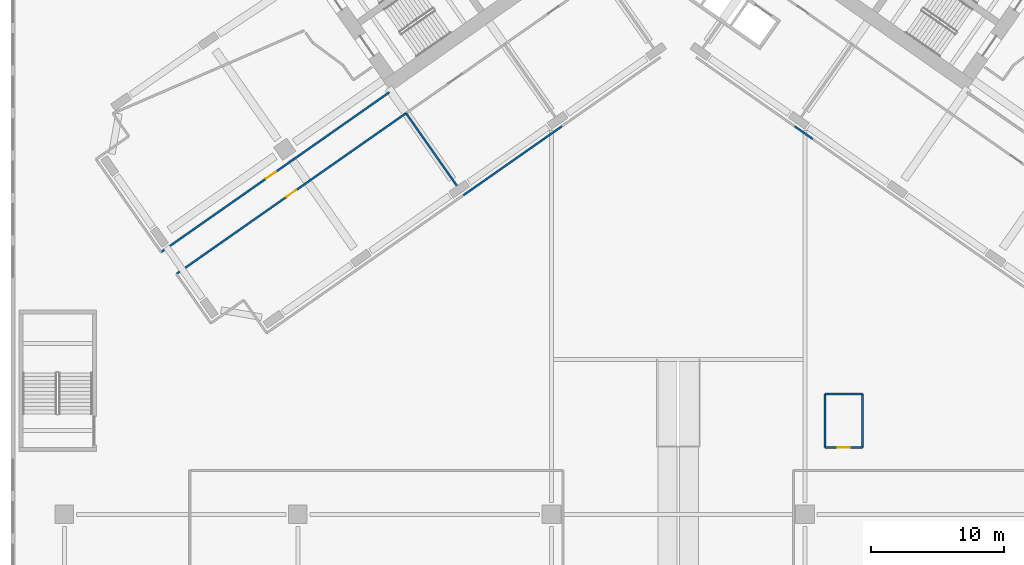
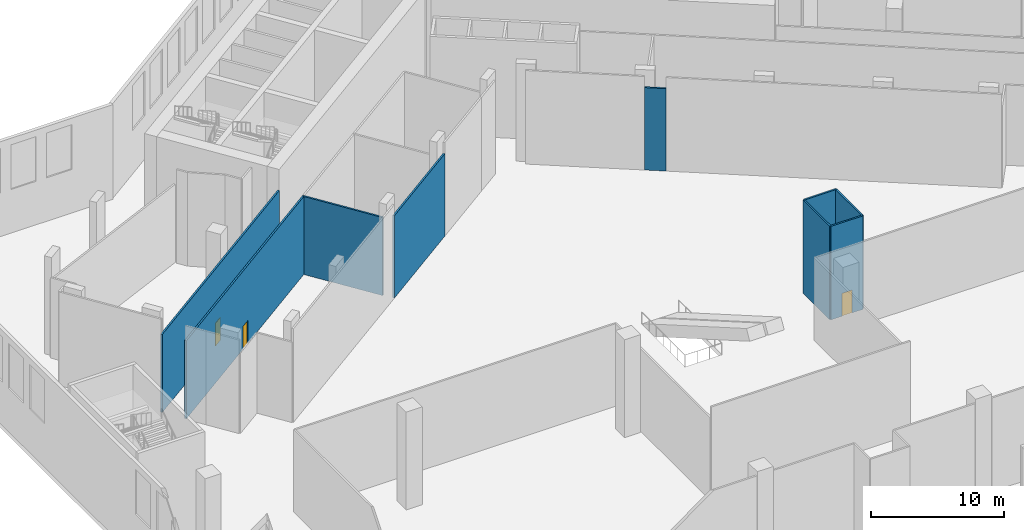
# One storey, part 7 of 27: 9 walls, 3 doors, 3 openings.
"""IFC4 building model written with IfcOpenShell, lengths in metres."""

import ifcopenshell
import ifcopenshell.guid

model = None  # the IFC model being written
_history = None  # IfcOwnerHistory: only IFC2X3 demands one
_inside = {}  # id of a spatial element -> (the spatial element, [elements in it])
_under = {}  # id of a project, library or spatial element -> (it, [spatial elements below it])
_declared = {}  # id of a project -> (the project, [libraries it declares])
_typed = {}  # id of a type object -> (the type object, [elements of that type])
_made_of = {}  # id of a material, layer set ... -> (it, [elements and type objects made of it])


def new_model(schema):
    """Start an empty IFC model of exactly this schema.

    Asked for "IFC4X3", IfcOpenShell would pick the latest addendum, in which some entities
    have other attributes; the version numbers below select the first issue.
    IFC2X3 requires an IfcOwnerHistory on every rooted entity: one is made here for all.
    """
    global model, _history
    if schema == "IFC4X3":
        model = ifcopenshell.file(schema_version=(4, 3, 0, 0))
    else:
        model = ifcopenshell.file(schema=schema)
    _inside.clear()
    _under.clear()
    _declared.clear()
    _typed.clear()
    _made_of.clear()
    _history = None
    if model.schema == "IFC2X3":
        org = make("IfcOrganization", Name="unknown")
        user = make(
            "IfcPersonAndOrganization",
            ThePerson=make("IfcPerson", FamilyName="unknown"),
            TheOrganization=org,
        )
        app = make(
            "IfcApplication",
            ApplicationDeveloper=org,
            Version="unknown",
            ApplicationFullName="unknown",
            ApplicationIdentifier="unknown",
        )
        _history = make(
            "IfcOwnerHistory",
            OwningUser=user,
            OwningApplication=app,
            ChangeAction="ADDED",
            CreationDate=0,
        )
    return model


def make(cls, **values):
    """One entity of the class cls with the attributes given. An attribute that is None is left unset."""
    return model.create_entity(
        cls, **{name: value for name, value in values.items() if value is not None}
    )


def rooted(cls, **values):
    """An entity with a GlobalId (a new one), such as an element, a storey or a relation."""
    return make(cls, GlobalId=ifcopenshell.guid.new(), OwnerHistory=_history, **values)


def si_unit(unit_type, name, prefix=None):
    """IfcSIUnit, for example si_unit("LENGTHUNIT", "METRE", prefix="MILLI")."""
    return make("IfcSIUnit", UnitType=unit_type, Prefix=prefix, Name=name)


def assignment(units):
    """IfcUnitAssignment: the units of a project."""
    return None if units is None else make("IfcUnitAssignment", Units=units)


def point(xyz):
    """IfcCartesianPoint."""
    return None if xyz is None else make("IfcCartesianPoint", Coordinates=xyz)


def direction(xyz):
    """IfcDirection."""
    return None if xyz is None else make("IfcDirection", DirectionRatios=xyz)


def frame(location, z_axis=None, x_axis=None):
    """IfcAxis2Placement3D, a coordinate frame: its origin and axes. An axis left out is left unset."""
    return make(
        "IfcAxis2Placement3D",
        Location=point(location),
        Axis=direction(z_axis),
        RefDirection=direction(x_axis),
    )


def frame_2d(location, x_axis=None):
    """IfcAxis2Placement2D, a coordinate frame in the plane: its origin and x axis."""
    return make(
        "IfcAxis2Placement2D", Location=point(location), RefDirection=direction(x_axis)
    )


def origin():
    """The frame at (0, 0, 0) with its axes left unset."""
    return frame((0.0, 0.0, 0.0))


def place(relative_to, where):
    """IfcLocalPlacement: puts the frame where relative to a parent placement (None: the world)."""
    return make(
        "IfcLocalPlacement", PlacementRelTo=relative_to, RelativePlacement=where
    )


def context(
    kind, dimensions, precision=None, world=None, true_north=None, identifier=None
):
    """IfcGeometricRepresentationContext, for example the 3D "Model" context."""
    return make(
        "IfcGeometricRepresentationContext",
        ContextIdentifier=identifier,
        ContextType=kind,
        CoordinateSpaceDimension=dimensions,
        Precision=precision,
        WorldCoordinateSystem=world,
        TrueNorth=true_north,
    )


def subcontext(parent, identifier, kind, view, scale=None):
    """IfcGeometricRepresentationSubContext, for example "Body" below "Model"."""
    return make(
        "IfcGeometricRepresentationSubContext",
        ContextIdentifier=identifier,
        ContextType=kind,
        ParentContext=parent,
        TargetScale=scale,
        TargetView=view,
    )


def project(units=None, contexts=None):
    """IfcProject with its units and contexts."""
    return rooted(
        "IfcProject",
        Name="project",
        RepresentationContexts=contexts,
        UnitsInContext=assignment(units),
    )


def spatial(cls, under=None, at=None, **own):
    """A site, building, storey or space (cls), placed at a placement, below another one or the project."""
    s = rooted(cls, ObjectPlacement=at, **own)
    if under is not None:
        _under.setdefault(under.id(), (under, []))[1].append(s)
    return s


def profile(cls, at=None, kind="AREA", **sizes):
    """A parametric profile (cls). Its sizes go by their IFC names, for example OverallWidth=200.0."""
    return make(cls, ProfileType=kind, Position=at, **sizes)


def rectangle(**sizes):
    """IfcRectangleProfileDef."""
    return profile("IfcRectangleProfileDef", **sizes)


def extrude(swept, where, along, depth):
    """IfcExtrudedAreaSolid: the profile swept, set in the frame where, extruded along a direction by depth."""
    return make(
        "IfcExtrudedAreaSolid",
        SweptArea=swept,
        Position=where,
        ExtrudedDirection=direction(along),
        Depth=depth,
    )


def shape(context_of_items, identifier, shape_type, items):
    """IfcShapeRepresentation: the items that make up one representation, for example the "Body"."""
    return make(
        "IfcShapeRepresentation",
        ContextOfItems=context_of_items,
        RepresentationIdentifier=identifier,
        RepresentationType=shape_type,
        Items=items,
    )


def material(Name=None, Category=None):
    """IfcMaterial."""
    return make("IfcMaterial", Name=Name, Category=Category)


def layer(
    of_material, thickness, ventilated=None, Name=None, Category=None, Priority=None
):
    """IfcMaterialLayer: one layer of a wall or slab, of a material (None: an air gap)."""
    return make(
        "IfcMaterialLayer",
        Material=of_material,
        LayerThickness=thickness,
        IsVentilated=ventilated,
        Name=Name,
        Category=Category,
        Priority=Priority,
    )


def layer_set(layers, Name=None):
    """IfcMaterialLayerSet."""
    return make("IfcMaterialLayerSet", MaterialLayers=layers, LayerSetName=Name)


def made_of(thing, what):
    """Note that an element or type object is made of a material, layer set ...; save() writes the relation."""
    if what is not None:
        _made_of.setdefault(what.id(), (what, []))[1].append(thing)
    return thing


def type_object(cls, material=None, **own):
    """A type object (cls), such as IfcWallType, which elements share."""
    return made_of(rooted(cls, **own), material)


def element(
    cls,
    number,
    at=None,
    inside=None,
    cuts=None,
    type_object=None,
    material=None,
    context=None,
    identifier="Body",
    shape_type=None,
    held_by="IfcProductDefinitionShape",
    body=None,
    shapes=None,
    **own,
):
    """One element of the class cls, such as IfcWall. Its Tag is "e" and its number.

    at: its placement. inside: the storey or other place that contains it. cuts: it is an
    opening in that element (IfcRelVoidsElement). A single representation is given by context,
    identifier, shape_type and body (its items); several are given by shapes. held_by: the class
    of the entity that holds the representations. save() writes the other relations.
    """
    e = rooted(cls, Tag="e%d" % number, ObjectPlacement=at, **own)
    if body is not None:
        shapes = [shape(context, identifier, shape_type, body)]
    if shapes is not None:
        e.Representation = make(held_by, Representations=shapes)
    if inside is not None:
        _inside.setdefault(inside.id(), (inside, []))[1].append(e)
    if cuts is not None:
        rooted(
            "IfcRelVoidsElement", RelatingBuildingElement=cuts, RelatedOpeningElement=e
        )
    if type_object is not None:
        _typed.setdefault(type_object.id(), (type_object, []))[1].append(e)
    return made_of(e, material)


def fill(opening, filler):
    """IfcRelFillsElement: the door or window that sits in an opening."""
    return rooted(
        "IfcRelFillsElement",
        RelatingOpeningElement=opening,
        RelatedBuildingElement=filler,
    )


def aggregate(whole, parts):
    """IfcRelAggregates: a whole, such as a stair, and the parts it consists of."""
    return rooted("IfcRelAggregates", RelatingObject=whole, RelatedObjects=parts)


def save(model, path):
    """Write the relations noted so far, then the file.

    IfcRelAggregates (storeys below a building ...), IfcRelContainedInSpatialStructure (elements
    in a storey), IfcRelDefinesByType, IfcRelAssociatesMaterial and IfcRelDeclares: one each for
    every whole, place, type object, material and project.
    """
    for whole, parts in _under.values():
        aggregate(whole, parts)
    for where, things in _inside.values():
        rooted(
            "IfcRelContainedInSpatialStructure",
            RelatedElements=things,
            RelatingStructure=where,
        )
    for kind, things in _typed.values():
        rooted("IfcRelDefinesByType", RelatedObjects=things, RelatingType=kind)
    for what, things in _made_of.values():
        rooted("IfcRelAssociatesMaterial", RelatedObjects=things, RelatingMaterial=what)
    for by, libraries in _declared.values():
        rooted("IfcRelDeclares", RelatingContext=by, RelatedDefinitions=libraries)
    model.write(path)


model = new_model("IFC4")

# Units and contexts
model_context = context("Model", 3, precision=1e-05, world=origin(), true_north=direction((0.0, 1.0)))
body_context = subcontext(model_context, "Body", "Model", "MODEL_VIEW")
ifc_project = project(units=[si_unit("LENGTHUNIT", "METRE"), si_unit("AREAUNIT", "SQUARE_METRE"), si_unit("VOLUMEUNIT", "CUBIC_METRE"), si_unit("PLANEANGLEUNIT", "RADIAN"), si_unit("MASSUNIT", "GRAM", prefix="KILO")], contexts=[model_context])

# Site, building, storey
site_placement = place(None, origin())
site = spatial("IfcSite", under=ifc_project, at=site_placement, CompositionType="ELEMENT")
building_placement = place(site_placement, origin())
building = spatial("IfcBuilding", under=site, at=building_placement, Name="Tel Ilan Convention Tower", CompositionType="ELEMENT")
storey_placement = place(building_placement, frame((0.0, 0.0, 9.0)))
storey = spatial("IfcBuildingStorey", under=building, at=storey_placement, Name="L01", CompositionType="ELEMENT", Elevation=9.0)

# Wall, opening, door
ifc_material_1 = material(Name="Plasterboard on Steel Studs", Category="steel")
ifc_layer = layer(ifc_material_1, 0.14990234375)
ifc_layer_set = layer_set([ifc_layer], Name="Fire-rated Partition 150 EI 60")
wall_type = type_object("IfcWallType", Name="Fire-rated Partition 150 EI 60", PredefinedType="PARTITIONING", material=ifc_layer_set)
wall_1_placement = place(storey_placement, frame((-38.74560546875, -28.350830078125, 0.0), z_axis=(0.0, 0.0, 1.0), x_axis=(0.819148965066, 0.573580833911, 0.0)))
wall_1 = element("IfcWall", 1, at=wall_1_placement, inside=storey, type_object=wall_type, Name="Partition 004", PredefinedType="PARTITIONING", context=body_context, shape_type="SweptSolid", body=[
    extrude(rectangle(XDim=20.8798828125, YDim=0.14990234375, at=frame_2d((10.43994140625, 0.0))), origin(), (0.0, 0.0, 1.0), 7.179931640625),
])
opening_1_placement = place(wall_1_placement, frame((9.590087890625, 0.0, 0.0)))
opening_1 = element("IfcOpeningElement", 2, at=opening_1_placement, cuts=wall_1, Name="Opening L01-004", PredefinedType="OPENING", context=body_context, shape_type="SweptSolid", body=[
    extrude(rectangle(XDim=0.89990234375, YDim=2.10009765625, at=frame_2d((0.449951171875, 1.050048828125))), frame((0.0, 0.0849609375, 0.0), z_axis=(0.0, -1.0, 0.0), x_axis=(1.0, 0.0, 0.0)), (0.0, 0.0, 1.0), 0.169921875),
])
ifc_material_2 = material(Name="Timber Door Leaf in Steel Frame", Category="steel")
door_type = type_object("IfcDoorType", Name="Room Fire Door 900x2100", OperationType="NOTDEFINED", PredefinedType="DOOR", material=ifc_material_2)
door_1_placement = place(opening_1_placement, origin())
door_1 = element("IfcDoor", 3, at=door_1_placement, inside=storey, type_object=door_type, Name="Door L01-004", OperationType="SINGLE_SWING_RIGHT", OverallHeight=2.10009765625, OverallWidth=0.89990234375, PredefinedType="DOOR", context=body_context, shape_type="SweptSolid", body=[
    extrude(rectangle(XDim=0.89990234375, YDim=2.10009765625, at=frame_2d((0.449951171875, 1.050048828125))), frame((0.0, 0.02490234375, 0.0), z_axis=(0.0, -1.0, 0.0), x_axis=(1.0, 0.0, 0.0)), (0.0, 0.0, 1.0), 0.050048828125),
])
fill(opening_1, door_1)

wall_2_placement = place(storey_placement, frame((-20.394775390625, -17.94287109375, 0.0), z_axis=(0.0, 0.0, 1.0), x_axis=(-0.819154909514, -0.573572344364, 0.0)))
wall_2 = element("IfcWall", 4, at=wall_2_placement, inside=storey, type_object=wall_type, Name="Partition 007", PredefinedType="PARTITIONING", context=body_context, shape_type="SweptSolid", body=[
    extrude(rectangle(XDim=21.001953125, YDim=0.14990234375, at=frame_2d((10.5009765625, 0.0))), origin(), (0.0, 0.0, 1.0), 7.179931640625),
])
opening_2_placement = place(wall_2_placement, frame((10.051025390625, 0.0, 0.0)))
opening_2 = element("IfcOpeningElement", 5, at=opening_2_placement, cuts=wall_2, Name="Opening L01-003", PredefinedType="OPENING", context=body_context, shape_type="SweptSolid", body=[
    extrude(rectangle(XDim=0.89990234375, YDim=2.10009765625, at=frame_2d((0.449951171875, 1.050048828125))), frame((0.0, 0.0849609375, 0.0), z_axis=(0.0, -1.0, 0.0), x_axis=(1.0, 0.0, 0.0)), (0.0, 0.0, 1.0), 0.169921875),
])
door_2_placement = place(opening_2_placement, origin())
door_2 = element("IfcDoor", 6, at=door_2_placement, inside=storey, type_object=door_type, Name="Door L01-003", OperationType="SINGLE_SWING_RIGHT", OverallHeight=2.10009765625, OverallWidth=0.89990234375, PredefinedType="DOOR", context=body_context, shape_type="SweptSolid", body=[
    extrude(rectangle(XDim=0.89990234375, YDim=2.10009765625, at=frame_2d((0.449951171875, 1.050048828125))), frame((0.0, 0.02490234375, 0.0), z_axis=(0.0, -1.0, 0.0), x_axis=(1.0, 0.0, 0.0)), (0.0, 0.0, 1.0), 0.050048828125),
])
fill(opening_2, door_2)

# Wall
wall_3_placement = place(storey_placement, frame((10.0751953125, -19.872802734375, 0.0), z_axis=(0.0, 0.0, 1.0), x_axis=(-0.819190252408, 0.573521865634, 0.0)))
element("IfcWall", 7, at=wall_3_placement, inside=storey, type_object=wall_type, Name="Partition 027", PredefinedType="PARTITIONING", context=body_context, shape_type="SweptSolid", body=[
    extrude(rectangle(XDim=1.651611328125, YDim=0.14990234375, at=frame_2d((0.82568359375, 0.0))), origin(), (0.0, 0.0, 1.0), 7.580078125),
])

# Wall, opening, door
wall_4_placement = place(storey_placement, frame((11.0, -43.0009765625, 0.0), z_axis=(0.0, 0.0, 1.0), x_axis=(1.0, 0.0, 0.0)))
wall_4 = element("IfcWall", 8, at=wall_4_placement, inside=storey, type_object=wall_type, Name="Partition 030", PredefinedType="PARTITIONING", context=body_context, shape_type="SweptSolid", body=[
    extrude(rectangle(XDim=2.800048828125, YDim=0.14990234375, at=frame_2d((1.39990234375, 0.0))), origin(), (0.0, 0.0, 1.0), 8.60009765625),
])
opening_3_placement = place(wall_4_placement, frame((0.949951171875, 0.0, 0.0)))
opening_3 = element("IfcOpeningElement", 9, at=opening_3_placement, cuts=wall_4, Name="Opening L01-009", PredefinedType="OPENING", context=body_context, shape_type="SweptSolid", body=[
    extrude(rectangle(XDim=0.89990234375, YDim=2.10009765625, at=frame_2d((0.449951171875, 1.050048828125))), frame((0.0, 0.0849609375, 0.0), z_axis=(0.0, -1.0, 0.0), x_axis=(1.0, 0.0, 0.0)), (0.0, 0.0, 1.0), 0.169921875),
])
door_3_placement = place(opening_3_placement, origin())
door_3 = element("IfcDoor", 10, at=door_3_placement, inside=storey, type_object=door_type, Name="Door L01-009", OperationType="SINGLE_SWING_LEFT", OverallHeight=2.10009765625, OverallWidth=0.89990234375, PredefinedType="DOOR", context=body_context, shape_type="SweptSolid", body=[
    extrude(rectangle(XDim=0.89990234375, YDim=2.10009765625, at=frame_2d((0.449951171875, 1.050048828125))), frame((0.0, 0.02490234375, 0.0), z_axis=(0.0, -1.0, 0.0), x_axis=(1.0, 0.0, 0.0)), (0.0, 0.0, 1.0), 0.050048828125),
])
fill(opening_3, door_3)

# Walls
wall_5_placement = place(storey_placement, frame((13.801025390625, -43.0, 0.0), z_axis=(0.0, 0.0, 1.0), x_axis=(0.0, 1.0, 0.0)))
element("IfcWall", 11, at=wall_5_placement, inside=storey, type_object=wall_type, Name="Partition 031", PredefinedType="PARTITIONING", context=body_context, shape_type="SweptSolid", body=[
    extrude(rectangle(XDim=4.0, YDim=0.14990234375, at=frame_2d((2.0, 0.0))), origin(), (0.0, 0.0, 1.0), 8.60009765625),
])
wall_6_placement = place(storey_placement, frame((13.800048828125, -38.9990234375, 0.0), z_axis=(0.0, 0.0, 1.0), x_axis=(-1.0, 0.0, 0.0)))
element("IfcWall", 12, at=wall_6_placement, inside=storey, type_object=wall_type, Name="Partition 032", PredefinedType="PARTITIONING", context=body_context, shape_type="SweptSolid", body=[
    extrude(rectangle(XDim=2.800048828125, YDim=0.14990234375, at=frame_2d((1.39990234375, 0.0))), origin(), (0.0, 0.0, 1.0), 8.60009765625),
])
wall_7_placement = place(storey_placement, frame((10.9990234375, -39.0, 0.0), z_axis=(0.0, 0.0, 1.0), x_axis=(0.0, -1.0, 0.0)))
element("IfcWall", 13, at=wall_7_placement, inside=storey, type_object=wall_type, Name="Partition 033", PredefinedType="PARTITIONING", context=body_context, shape_type="SweptSolid", body=[
    extrude(rectangle(XDim=4.0, YDim=0.14990234375, at=frame_2d((2.0, 0.0))), origin(), (0.0, 0.0, 1.0), 8.60009765625),
])
wall_8_placement = place(storey_placement, frame((-16.095458984375, -24.089599609375, 0.0), z_axis=(0.0, 0.0, 1.0), x_axis=(0.819146559812, 0.573584268917, 0.0)))
element("IfcWall", 14, at=wall_8_placement, inside=storey, type_object=wall_type, Name="Partition 035", PredefinedType="PARTITIONING", context=body_context, shape_type="SweptSolid", body=[
    extrude(rectangle(XDim=9.003662109375, YDim=0.14990234375, at=frame_2d((4.501953125, 0.0))), origin(), (0.0, 0.0, 1.0), 7.580078125),
])
wall_9_placement = place(storey_placement, frame((-16.593505859375, -23.375, 0.0), z_axis=(0.0, 0.0, 1.0), x_axis=(-0.57359826181, 0.819136761505, 0.0)))
element("IfcWall", 15, at=wall_9_placement, inside=storey, type_object=wall_type, Name="Partition 073", PredefinedType="PARTITIONING", context=body_context, shape_type="SweptSolid", body=[
    extrude(rectangle(XDim=6.630126953125, YDim=0.14990234375, at=frame_2d((3.31494140625, 0.0))), origin(), (0.0, 0.0, 1.0), 7.179931640625),
])

save(model, "model.ifc")
